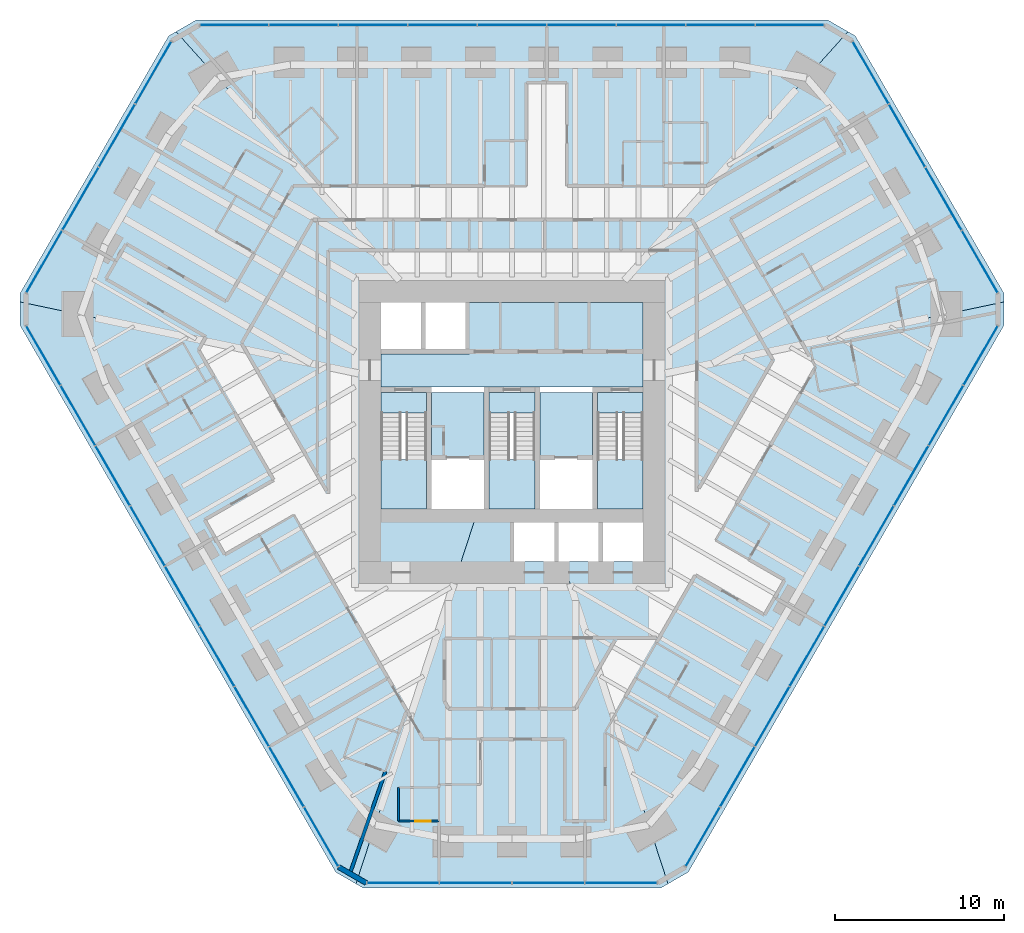
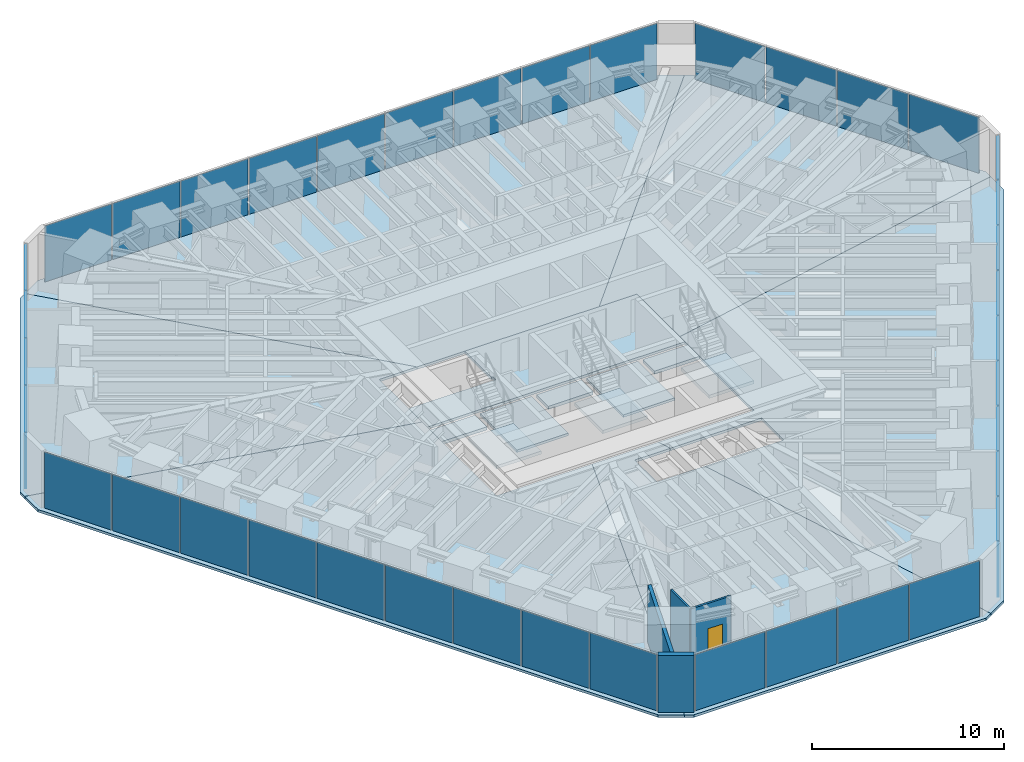
# One storey, part 10 of 17: 39 plates, 15 slabs, 4 walls, 1 door, 1 opening, 9 elements without a shape of their own.
"""IFC4 building model written with IfcOpenShell, lengths in metres."""

from ifc_helpers import new_model, si_unit, direction, frame, frame_2d, origin, origin_2d, place, context, subcontext, project, spatial, polyline, rectangle, outline, extrude, material, layer, layer_set, type_object, element, fill, aggregate, save


model = new_model("IFC4")

# Units and contexts
model_context = context("Model", 3, precision=1e-05, world=origin(), true_north=direction((0.0, 1.0)))
body_context = subcontext(model_context, "Body", "Model", "MODEL_VIEW")
ifc_project = project(units=[si_unit("LENGTHUNIT", "METRE"), si_unit("AREAUNIT", "SQUARE_METRE"), si_unit("VOLUMEUNIT", "CUBIC_METRE"), si_unit("PLANEANGLEUNIT", "RADIAN"), si_unit("MASSUNIT", "GRAM", prefix="KILO")], contexts=[model_context])

# Site, building, storey
site_placement = place(None, origin())
site = spatial("IfcSite", under=ifc_project, at=site_placement, CompositionType="ELEMENT")
building_placement = place(site_placement, origin())
building = spatial("IfcBuilding", under=site, at=building_placement, Name="Sandreach Pilgrim Tower", CompositionType="ELEMENT")
storey_placement = place(building_placement, frame((0.0, 0.0, 169.0)))
storey = spatial("IfcBuildingStorey", under=building, at=storey_placement, Name="L42", CompositionType="ELEMENT", Elevation=169.0)

# Curtain wall, plates
ifc_material_1 = material(Name="Aluminium framed curtain wall", Category="aluminium")
curtain_wall_type = type_object("IfcCurtainWallType", Name="Hotel tower curtain wall", PredefinedType="NOTDEFINED", material=ifc_material_1)
curtain_wall_1_placement = place(storey_placement, origin())
curtain_wall_1 = element("IfcCurtainWall", 1, at=curtain_wall_1_placement, inside=storey, type_object=curtain_wall_type, Name="CW-2 L42 N", PredefinedType="NOTDEFINED")
ifc_material_2 = material(Name="Insulating glass unit 8 heat-strengthened + 16 argon + 8 heat-strengthened", Category="glass")
ifc_layer_1 = layer(ifc_material_2, 0.031982421875)
ifc_layer_set_1 = layer_set([ifc_layer_1], Name="CW-2 panel")
plate_type = type_object("IfcPlateType", Name="CW-2 panel", PredefinedType="CURTAIN_PANEL", material=ifc_layer_set_1)
plate_1_placement = place(storey_placement, frame((-16.41162109375, 22.493896484375, 0.0), z_axis=(0.0, 0.0, 1.0), x_axis=(1.0, 0.0, 0.0)))
plate_1 = element("IfcPlate", 2, at=plate_1_placement, type_object=plate_type, Name="CW-2 panel 1", PredefinedType="CURTAIN_PANEL", context=body_context, shape_type="SweptSolid", body=[
    extrude(rectangle(XDim=4.009521484375, YDim=0.031982421875, at=origin_2d()), origin(), (0.0, 0.0, 1.0), 3.570068359375),
])
plate_2_placement = place(storey_placement, frame((-12.32080078125, 22.493896484375, 0.0), z_axis=(0.0, 0.0, 1.0), x_axis=(1.0, 0.0, 0.0)))
plate_2 = element("IfcPlate", 3, at=plate_2_placement, type_object=plate_type, Name="CW-2 panel 2", PredefinedType="CURTAIN_PANEL", context=body_context, shape_type="SweptSolid", body=[
    extrude(rectangle(XDim=4.0419921875, YDim=0.031982421875, at=origin_2d()), origin(), (0.0, 0.0, 1.0), 3.570068359375),
])
plate_3_placement = place(storey_placement, frame((-8.2138671875, 22.493896484375, 0.0), z_axis=(0.0, 0.0, 1.0), x_axis=(1.0, 0.0, 0.0)))
plate_3 = element("IfcPlate", 4, at=plate_3_placement, type_object=plate_type, Name="CW-2 panel 3", PredefinedType="CURTAIN_PANEL", context=body_context, shape_type="SweptSolid", body=[
    extrude(rectangle(XDim=4.0419921875, YDim=0.031982421875, at=origin_2d()), origin(), (0.0, 0.0, 1.0), 3.570068359375),
])
plate_4_placement = place(storey_placement, frame((-4.10693359375, 22.493896484375, 0.0), z_axis=(0.0, 0.0, 1.0), x_axis=(1.0, 0.0, 0.0)))
plate_4 = element("IfcPlate", 5, at=plate_4_placement, type_object=plate_type, Name="CW-2 panel 4", PredefinedType="CURTAIN_PANEL", context=body_context, shape_type="SweptSolid", body=[
    extrude(rectangle(XDim=4.0419921875, YDim=0.031982421875, at=origin_2d()), origin(), (0.0, 0.0, 1.0), 3.570068359375),
])
plate_5_placement = place(storey_placement, frame((0.0, 22.493896484375, 0.0), z_axis=(0.0, 0.0, 1.0), x_axis=(1.0, 0.0, 0.0)))
plate_5 = element("IfcPlate", 6, at=plate_5_placement, type_object=plate_type, Name="CW-2 panel 5", PredefinedType="CURTAIN_PANEL", context=body_context, shape_type="SweptSolid", body=[
    extrude(rectangle(XDim=4.0419921875, YDim=0.031982421875, at=origin_2d()), origin(), (0.0, 0.0, 1.0), 3.570068359375),
])
plate_6_placement = place(storey_placement, frame((4.10693359375, 22.493896484375, 0.0), z_axis=(0.0, 0.0, 1.0), x_axis=(1.0, 0.0, 0.0)))
plate_6 = element("IfcPlate", 7, at=plate_6_placement, type_object=plate_type, Name="CW-2 panel 6", PredefinedType="CURTAIN_PANEL", context=body_context, shape_type="SweptSolid", body=[
    extrude(rectangle(XDim=4.0419921875, YDim=0.031982421875, at=origin_2d()), origin(), (0.0, 0.0, 1.0), 3.570068359375),
])
plate_7_placement = place(storey_placement, frame((8.2138671875, 22.493896484375, 0.0), z_axis=(0.0, 0.0, 1.0), x_axis=(1.0, 0.0, 0.0)))
plate_7 = element("IfcPlate", 8, at=plate_7_placement, type_object=plate_type, Name="CW-2 panel 7", PredefinedType="CURTAIN_PANEL", context=body_context, shape_type="SweptSolid", body=[
    extrude(rectangle(XDim=4.0419921875, YDim=0.031982421875, at=origin_2d()), origin(), (0.0, 0.0, 1.0), 3.570068359375),
])
plate_8_placement = place(storey_placement, frame((12.32080078125, 22.493896484375, 0.0), z_axis=(0.0, 0.0, 1.0), x_axis=(1.0, 0.0, 0.0)))
plate_8 = element("IfcPlate", 9, at=plate_8_placement, type_object=plate_type, Name="CW-2 panel 8", PredefinedType="CURTAIN_PANEL", context=body_context, shape_type="SweptSolid", body=[
    extrude(rectangle(XDim=4.0419921875, YDim=0.031982421875, at=origin_2d()), origin(), (0.0, 0.0, 1.0), 3.570068359375),
])
plate_9_placement = place(storey_placement, frame((16.41162109375, 22.493896484375, 0.0), z_axis=(0.0, 0.0, 1.0), x_axis=(1.0, 0.0, 0.0)))
plate_9 = element("IfcPlate", 10, at=plate_9_placement, type_object=plate_type, Name="CW-2 panel 9", PredefinedType="CURTAIN_PANEL", context=body_context, shape_type="SweptSolid", body=[
    extrude(rectangle(XDim=4.009521484375, YDim=0.031982421875, at=origin_2d()), origin(), (0.0, 0.0, 1.0), 3.570068359375),
])
aggregate(curtain_wall_1, [plate_1, plate_2, plate_3, plate_4, plate_5, plate_6, plate_7, plate_8, plate_9])

curtain_wall_2_placement = place(storey_placement, origin())
curtain_wall_2 = element("IfcCurtainWall", 11, at=curtain_wall_2_placement, inside=storey, type_object=curtain_wall_type, Name="CW-2 L42 NE", PredefinedType="NOTDEFINED")
plate_10_placement = place(storey_placement, frame((21.194091796875, 19.67529296875, 0.0), z_axis=(0.0, 0.0, 1.0), x_axis=(0.5, -0.866025403784, 0.0)))
plate_10 = element("IfcPlate", 12, at=plate_10_placement, type_object=plate_type, Name="CW-2 panel 1", PredefinedType="CURTAIN_PANEL", context=body_context, shape_type="SweptSolid", body=[
    extrude(rectangle(XDim=4.208251953125, YDim=0.031982421875, at=origin_2d()), origin(), (0.0, 0.0, 1.0), 3.570068359375),
])
plate_11_placement = place(storey_placement, frame((23.3388671875, 15.96044921875, 0.0), z_axis=(0.0, 0.0, 1.0), x_axis=(0.5, -0.866025403784, 0.0)))
plate_11 = element("IfcPlate", 13, at=plate_11_placement, type_object=plate_type, Name="CW-2 panel 2", PredefinedType="CURTAIN_PANEL", context=body_context, shape_type="SweptSolid", body=[
    extrude(rectangle(XDim=4.24072265625, YDim=0.031982421875, at=origin_2d()), origin(), (0.0, 0.0, 1.0), 3.570068359375),
])
plate_12_placement = place(storey_placement, frame((25.49169921875, 12.231689453125, 0.0), z_axis=(0.0, 0.0, 1.0), x_axis=(0.5, -0.866025403784, 0.0)))
plate_12 = element("IfcPlate", 14, at=plate_12_placement, type_object=plate_type, Name="CW-2 panel 3", PredefinedType="CURTAIN_PANEL", context=body_context, shape_type="SweptSolid", body=[
    extrude(rectangle(XDim=4.24072265625, YDim=0.031982421875, at=origin_2d()), origin(), (0.0, 0.0, 1.0), 3.570068359375),
])
plate_13_placement = place(storey_placement, frame((27.63623046875, 8.516845703125, 0.0), z_axis=(0.0, 0.0, 1.0), x_axis=(0.5, -0.866025403784, 0.0)))
plate_13 = element("IfcPlate", 15, at=plate_13_placement, type_object=plate_type, Name="CW-2 panel 4", PredefinedType="CURTAIN_PANEL", context=body_context, shape_type="SweptSolid", body=[
    extrude(rectangle(XDim=4.208251953125, YDim=0.031982421875, at=origin_2d()), origin(), (0.0, 0.0, 1.0), 3.570068359375),
])
aggregate(curtain_wall_2, [plate_10, plate_11, plate_12, plate_13])

curtain_wall_3_placement = place(storey_placement, origin())
curtain_wall_3 = element("IfcCurtainWall", 16, at=curtain_wall_3_placement, inside=storey, type_object=curtain_wall_type, Name="CW-2 L42 SE", PredefinedType="NOTDEFINED")
plate_14_placement = place(storey_placement, frame((27.68603515625, 2.966064453125, 0.0), z_axis=(0.0, 0.0, 1.0), x_axis=(-0.5, -0.866025403784, 0.0)))
plate_14 = element("IfcPlate", 17, at=plate_14_placement, type_object=plate_type, Name="CW-2 panel 1", PredefinedType="CURTAIN_PANEL", context=body_context, shape_type="SweptSolid", body=[
    extrude(rectangle(XDim=4.009521484375, YDim=0.031982421875, at=origin_2d()), origin(), (0.0, 0.0, 1.0), 3.570068359375),
])
plate_15_placement = place(storey_placement, frame((25.640625, -0.57666015625, 0.0), z_axis=(0.0, 0.0, 1.0), x_axis=(-0.5, -0.866025403784, 0.0)))
plate_15 = element("IfcPlate", 18, at=plate_15_placement, type_object=plate_type, Name="CW-2 panel 2", PredefinedType="CURTAIN_PANEL", context=body_context, shape_type="SweptSolid", body=[
    extrude(rectangle(XDim=4.0419921875, YDim=0.031982421875, at=origin_2d()), origin(), (0.0, 0.0, 1.0), 3.570068359375),
])
plate_16_placement = place(storey_placement, frame((23.587158203125, -4.13330078125, 0.0), z_axis=(0.0, 0.0, 1.0), x_axis=(-0.5, -0.866025403784, 0.0)))
plate_16 = element("IfcPlate", 19, at=plate_16_placement, type_object=plate_type, Name="CW-2 panel 3", PredefinedType="CURTAIN_PANEL", context=body_context, shape_type="SweptSolid", body=[
    extrude(rectangle(XDim=4.0419921875, YDim=0.031982421875, at=origin_2d()), origin(), (0.0, 0.0, 1.0), 3.570068359375),
])
plate_17_placement = place(storey_placement, frame((21.53369140625, -7.690185546875, 0.0), z_axis=(0.0, 0.0, 1.0), x_axis=(-0.5, -0.866025403784, 0.0)))
plate_17 = element("IfcPlate", 20, at=plate_17_placement, type_object=plate_type, Name="CW-2 panel 4", PredefinedType="CURTAIN_PANEL", context=body_context, shape_type="SweptSolid", body=[
    extrude(rectangle(XDim=4.0419921875, YDim=0.031982421875, at=origin_2d()), origin(), (0.0, 0.0, 1.0), 3.570068359375),
])
plate_18_placement = place(storey_placement, frame((19.480224609375, -11.246826171875, 0.0), z_axis=(0.0, 0.0, 1.0), x_axis=(-0.5, -0.866025403784, 0.0)))
plate_18 = element("IfcPlate", 21, at=plate_18_placement, type_object=plate_type, Name="CW-2 panel 5", PredefinedType="CURTAIN_PANEL", context=body_context, shape_type="SweptSolid", body=[
    extrude(rectangle(XDim=4.0419921875, YDim=0.031982421875, at=origin_2d()), origin(), (0.0, 0.0, 1.0), 3.570068359375),
])
plate_19_placement = place(storey_placement, frame((17.4267578125, -14.8037109375, 0.0), z_axis=(0.0, 0.0, 1.0), x_axis=(-0.5, -0.866025403784, 0.0)))
plate_19 = element("IfcPlate", 22, at=plate_19_placement, type_object=plate_type, Name="CW-2 panel 6", PredefinedType="CURTAIN_PANEL", context=body_context, shape_type="SweptSolid", body=[
    extrude(rectangle(XDim=4.0419921875, YDim=0.031982421875, at=origin_2d()), origin(), (0.0, 0.0, 1.0), 3.570068359375),
])
plate_20_placement = place(storey_placement, frame((15.373291015625, -18.3603515625, 0.0), z_axis=(0.0, 0.0, 1.0), x_axis=(-0.5, -0.866025403784, 0.0)))
plate_20 = element("IfcPlate", 23, at=plate_20_placement, type_object=plate_type, Name="CW-2 panel 7", PredefinedType="CURTAIN_PANEL", context=body_context, shape_type="SweptSolid", body=[
    extrude(rectangle(XDim=4.0419921875, YDim=0.031982421875, at=origin_2d()), origin(), (0.0, 0.0, 1.0), 3.570068359375),
])
plate_21_placement = place(storey_placement, frame((13.31982421875, -21.917236328125, 0.0), z_axis=(0.0, 0.0, 1.0), x_axis=(-0.5, -0.866025403784, 0.0)))
plate_21 = element("IfcPlate", 24, at=plate_21_placement, type_object=plate_type, Name="CW-2 panel 8", PredefinedType="CURTAIN_PANEL", context=body_context, shape_type="SweptSolid", body=[
    extrude(rectangle(XDim=4.0419921875, YDim=0.031982421875, at=origin_2d()), origin(), (0.0, 0.0, 1.0), 3.570068359375),
])
plate_22_placement = place(storey_placement, frame((11.2744140625, -25.459716796875, 0.0), z_axis=(0.0, 0.0, 1.0), x_axis=(-0.5, -0.866025403784, 0.0)))
plate_22 = element("IfcPlate", 25, at=plate_22_placement, type_object=plate_type, Name="CW-2 panel 9", PredefinedType="CURTAIN_PANEL", context=body_context, shape_type="SweptSolid", body=[
    extrude(rectangle(XDim=4.009521484375, YDim=0.031982421875, at=origin_2d()), origin(), (0.0, 0.0, 1.0), 3.570068359375),
])
aggregate(curtain_wall_3, [plate_14, plate_15, plate_16, plate_17, plate_18, plate_19, plate_20, plate_21, plate_22])

curtain_wall_4_placement = place(storey_placement, origin())
curtain_wall_4 = element("IfcCurtainWall", 26, at=curtain_wall_4_placement, inside=storey, type_object=curtain_wall_type, Name="CW-2 L42 S", PredefinedType="NOTDEFINED")
plate_23_placement = place(storey_placement, frame((6.4423828125, -28.192138671875, 0.0), z_axis=(0.0, 0.0, 1.0), x_axis=(-1.0, 0.0, 0.0)))
plate_23 = element("IfcPlate", 27, at=plate_23_placement, type_object=plate_type, Name="CW-2 panel 1", PredefinedType="CURTAIN_PANEL", context=body_context, shape_type="SweptSolid", body=[
    extrude(rectangle(XDim=4.208251953125, YDim=0.031982421875, at=origin_2d()), origin(), (0.0, 0.0, 1.0), 3.570068359375),
])
plate_24_placement = place(storey_placement, frame((2.15283203125, -28.192138671875, 0.0), z_axis=(0.0, 0.0, 1.0), x_axis=(-1.0, 0.0, 0.0)))
plate_24 = element("IfcPlate", 28, at=plate_24_placement, type_object=plate_type, Name="CW-2 panel 2", PredefinedType="CURTAIN_PANEL", context=body_context, shape_type="SweptSolid", body=[
    extrude(rectangle(XDim=4.24072265625, YDim=0.031982421875, at=origin_2d()), origin(), (0.0, 0.0, 1.0), 3.570068359375),
])
plate_25_placement = place(storey_placement, frame((-2.15283203125, -28.192138671875, 0.0), z_axis=(0.0, 0.0, 1.0), x_axis=(-1.0, 0.0, 0.0)))
plate_25 = element("IfcPlate", 29, at=plate_25_placement, type_object=plate_type, Name="CW-2 panel 3", PredefinedType="CURTAIN_PANEL", context=body_context, shape_type="SweptSolid", body=[
    extrude(rectangle(XDim=4.24072265625, YDim=0.031982421875, at=origin_2d()), origin(), (0.0, 0.0, 1.0), 3.570068359375),
])
plate_26_placement = place(storey_placement, frame((-6.4423828125, -28.192138671875, 0.0), z_axis=(0.0, 0.0, 1.0), x_axis=(-1.0, 0.0, 0.0)))
plate_26 = element("IfcPlate", 30, at=plate_26_placement, type_object=plate_type, Name="CW-2 panel 4", PredefinedType="CURTAIN_PANEL", context=body_context, shape_type="SweptSolid", body=[
    extrude(rectangle(XDim=4.208251953125, YDim=0.031982421875, at=origin_2d()), origin(), (0.0, 0.0, 1.0), 3.570068359375),
])
aggregate(curtain_wall_4, [plate_23, plate_24, plate_25, plate_26])

curtain_wall_5_placement = place(storey_placement, origin())
curtain_wall_5 = element("IfcCurtainWall", 31, at=curtain_wall_5_placement, inside=storey, type_object=curtain_wall_type, Name="CW-2 L42 SW", PredefinedType="NOTDEFINED")
plate_27_placement = place(storey_placement, frame((-11.2744140625, -25.459716796875, 0.0), z_axis=(0.0, 0.0, 1.0), x_axis=(-0.5, 0.866025403784, 0.0)))
plate_27 = element("IfcPlate", 32, at=plate_27_placement, type_object=plate_type, Name="CW-2 panel 1", PredefinedType="CURTAIN_PANEL", context=body_context, shape_type="SweptSolid", body=[
    extrude(rectangle(XDim=4.009521484375, YDim=0.031982421875, at=origin_2d()), origin(), (0.0, 0.0, 1.0), 3.570068359375),
])
plate_28_placement = place(storey_placement, frame((-13.31982421875, -21.917236328125, 0.0), z_axis=(0.0, 0.0, 1.0), x_axis=(-0.5, 0.866025403784, 0.0)))
plate_28 = element("IfcPlate", 33, at=plate_28_placement, type_object=plate_type, Name="CW-2 panel 2", PredefinedType="CURTAIN_PANEL", context=body_context, shape_type="SweptSolid", body=[
    extrude(rectangle(XDim=4.0419921875, YDim=0.031982421875, at=origin_2d()), origin(), (0.0, 0.0, 1.0), 3.570068359375),
])
plate_29_placement = place(storey_placement, frame((-15.373291015625, -18.3603515625, 0.0), z_axis=(0.0, 0.0, 1.0), x_axis=(-0.5, 0.866025403784, 0.0)))
plate_29 = element("IfcPlate", 34, at=plate_29_placement, type_object=plate_type, Name="CW-2 panel 3", PredefinedType="CURTAIN_PANEL", context=body_context, shape_type="SweptSolid", body=[
    extrude(rectangle(XDim=4.0419921875, YDim=0.031982421875, at=origin_2d()), origin(), (0.0, 0.0, 1.0), 3.570068359375),
])
plate_30_placement = place(storey_placement, frame((-17.4267578125, -14.8037109375, 0.0), z_axis=(0.0, 0.0, 1.0), x_axis=(-0.5, 0.866025403784, 0.0)))
plate_30 = element("IfcPlate", 35, at=plate_30_placement, type_object=plate_type, Name="CW-2 panel 4", PredefinedType="CURTAIN_PANEL", context=body_context, shape_type="SweptSolid", body=[
    extrude(rectangle(XDim=4.0419921875, YDim=0.031982421875, at=origin_2d()), origin(), (0.0, 0.0, 1.0), 3.570068359375),
])
plate_31_placement = place(storey_placement, frame((-19.480224609375, -11.246826171875, 0.0), z_axis=(0.0, 0.0, 1.0), x_axis=(-0.5, 0.866025403784, 0.0)))
plate_31 = element("IfcPlate", 36, at=plate_31_placement, type_object=plate_type, Name="CW-2 panel 5", PredefinedType="CURTAIN_PANEL", context=body_context, shape_type="SweptSolid", body=[
    extrude(rectangle(XDim=4.0419921875, YDim=0.031982421875, at=origin_2d()), origin(), (0.0, 0.0, 1.0), 3.570068359375),
])
plate_32_placement = place(storey_placement, frame((-21.53369140625, -7.690185546875, 0.0), z_axis=(0.0, 0.0, 1.0), x_axis=(-0.5, 0.866025403784, 0.0)))
plate_32 = element("IfcPlate", 37, at=plate_32_placement, type_object=plate_type, Name="CW-2 panel 6", PredefinedType="CURTAIN_PANEL", context=body_context, shape_type="SweptSolid", body=[
    extrude(rectangle(XDim=4.0419921875, YDim=0.031982421875, at=origin_2d()), origin(), (0.0, 0.0, 1.0), 3.570068359375),
])
plate_33_placement = place(storey_placement, frame((-23.587158203125, -4.13330078125, 0.0), z_axis=(0.0, 0.0, 1.0), x_axis=(-0.5, 0.866025403784, 0.0)))
plate_33 = element("IfcPlate", 38, at=plate_33_placement, type_object=plate_type, Name="CW-2 panel 7", PredefinedType="CURTAIN_PANEL", context=body_context, shape_type="SweptSolid", body=[
    extrude(rectangle(XDim=4.0419921875, YDim=0.031982421875, at=origin_2d()), origin(), (0.0, 0.0, 1.0), 3.570068359375),
])
plate_34_placement = place(storey_placement, frame((-25.640625, -0.57666015625, 0.0), z_axis=(0.0, 0.0, 1.0), x_axis=(-0.5, 0.866025403784, 0.0)))
plate_34 = element("IfcPlate", 39, at=plate_34_placement, type_object=plate_type, Name="CW-2 panel 8", PredefinedType="CURTAIN_PANEL", context=body_context, shape_type="SweptSolid", body=[
    extrude(rectangle(XDim=4.0419921875, YDim=0.031982421875, at=origin_2d()), origin(), (0.0, 0.0, 1.0), 3.570068359375),
])
plate_35_placement = place(storey_placement, frame((-27.68603515625, 2.966064453125, 0.0), z_axis=(0.0, 0.0, 1.0), x_axis=(-0.5, 0.866025403784, 0.0)))
plate_35 = element("IfcPlate", 40, at=plate_35_placement, type_object=plate_type, Name="CW-2 panel 9", PredefinedType="CURTAIN_PANEL", context=body_context, shape_type="SweptSolid", body=[
    extrude(rectangle(XDim=4.009521484375, YDim=0.031982421875, at=origin_2d()), origin(), (0.0, 0.0, 1.0), 3.570068359375),
])
aggregate(curtain_wall_5, [plate_27, plate_28, plate_29, plate_30, plate_31, plate_32, plate_33, plate_34, plate_35])

curtain_wall_6_placement = place(storey_placement, origin())
curtain_wall_6 = element("IfcCurtainWall", 41, at=curtain_wall_6_placement, inside=storey, type_object=curtain_wall_type, Name="CW-2 L42 NW", PredefinedType="NOTDEFINED")
plate_36_placement = place(storey_placement, frame((-27.63623046875, 8.516845703125, 0.0), z_axis=(0.0, 0.0, 1.0), x_axis=(0.5, 0.866025403784, 0.0)))
plate_36 = element("IfcPlate", 42, at=plate_36_placement, type_object=plate_type, Name="CW-2 panel 1", PredefinedType="CURTAIN_PANEL", context=body_context, shape_type="SweptSolid", body=[
    extrude(rectangle(XDim=4.208251953125, YDim=0.031982421875, at=origin_2d()), origin(), (0.0, 0.0, 1.0), 3.570068359375),
])
plate_37_placement = place(storey_placement, frame((-25.49169921875, 12.231689453125, 0.0), z_axis=(0.0, 0.0, 1.0), x_axis=(0.5, 0.866025403784, 0.0)))
plate_37 = element("IfcPlate", 43, at=plate_37_placement, type_object=plate_type, Name="CW-2 panel 2", PredefinedType="CURTAIN_PANEL", context=body_context, shape_type="SweptSolid", body=[
    extrude(rectangle(XDim=4.24072265625, YDim=0.031982421875, at=origin_2d()), origin(), (0.0, 0.0, 1.0), 3.570068359375),
])
plate_38_placement = place(storey_placement, frame((-23.3388671875, 15.96044921875, 0.0), z_axis=(0.0, 0.0, 1.0), x_axis=(0.5, 0.866025403784, 0.0)))
plate_38 = element("IfcPlate", 44, at=plate_38_placement, type_object=plate_type, Name="CW-2 panel 3", PredefinedType="CURTAIN_PANEL", context=body_context, shape_type="SweptSolid", body=[
    extrude(rectangle(XDim=4.24072265625, YDim=0.031982421875, at=origin_2d()), origin(), (0.0, 0.0, 1.0), 3.570068359375),
])
plate_39_placement = place(storey_placement, frame((-21.194091796875, 19.67529296875, 0.0), z_axis=(0.0, 0.0, 1.0), x_axis=(0.5, 0.866025403784, 0.0)))
plate_39 = element("IfcPlate", 45, at=plate_39_placement, type_object=plate_type, Name="CW-2 panel 4", PredefinedType="CURTAIN_PANEL", context=body_context, shape_type="SweptSolid", body=[
    extrude(rectangle(XDim=4.208251953125, YDim=0.031982421875, at=origin_2d()), origin(), (0.0, 0.0, 1.0), 3.570068359375),
])
aggregate(curtain_wall_6, [plate_36, plate_37, plate_38, plate_39])

# Slabs
ifc_material_3 = material(Name="Concrete 8000 psi", Category="concrete")
ifc_layer_2 = layer(ifc_material_3, 0.159912109375)
ifc_layer_set_2 = layer_set([ifc_layer_2], Name="Composite floor slab 160")
slab_type_1 = type_object("IfcSlabType", Name="Composite floor slab 160", PredefinedType="FLOOR", material=ifc_layer_set_2)
slab_1_placement = place(storey_placement, frame((0.0, 0.0, -0.159912109375)))
element("IfcSlab", 46, at=slab_1_placement, inside=storey, type_object=slab_type_1, Name="Floor slab L42 N sector", PredefinedType="FLOOR", context=body_context, shape_type="SweptSolid", body=[
    extrude(outline(polyline([(-18.654541015625, 22.793701171875), (18.654541015625, 22.793701171875), (19.848388671875, 22.1044921875), (5.477294921875, 6.10009765625), (-5.477294921875, 6.10009765625), (-19.848388671875, 22.1044921875), (-18.654541015625, 22.793701171875)])), origin(), (0.0, 0.0, 1.0), 0.159912109375),
])
slab_2_placement = place(storey_placement, frame((0.0, 0.0, -0.159912109375)))
element("IfcSlab", 47, at=slab_2_placement, inside=storey, type_object=slab_type_1, Name="Floor slab L42 NE sector", PredefinedType="FLOOR", context=body_context, shape_type="SweptSolid", body=[
    extrude(outline(polyline([(20.28271484375, 21.853759765625), (29.0673828125, 6.638427734375), (29.0673828125, 6.13720703125), (7.75, 1.63623046875), (7.75, 6.10009765625), (5.477294921875, 6.10009765625), (19.848388671875, 22.1044921875), (20.28271484375, 21.853759765625)])), origin(), (0.0, 0.0, 1.0), 0.159912109375),
])
slab_3_placement = place(storey_placement, frame((0.0, 0.0, -0.159912109375)))
element("IfcSlab", 48, at=slab_3_placement, inside=storey, type_object=slab_type_1, Name="Floor slab L42 SE sector", PredefinedType="FLOOR", context=body_context, shape_type="SweptSolid", body=[
    extrude(outline(polyline([(29.0673828125, 4.75830078125), (10.41259765625, -27.55224609375), (9.21875, -28.241455078125), (3.003173828125, -9.199951171875), (7.75, -9.199951171875), (7.75, -6.89990234375), (2.252197265625, -6.89990234375), (1.9912109375, -6.10009765625), (7.75, -6.10009765625), (7.75, 1.63623046875), (29.0673828125, 6.13720703125), (29.0673828125, 4.75830078125)])), origin(), (0.0, 0.0, 1.0), 0.159912109375),
])
slab_4_placement = place(storey_placement, frame((0.0, 0.0, -0.159912109375)))
element("IfcSlab", 49, at=slab_4_placement, inside=storey, type_object=slab_type_1, Name="Floor slab L42 S sector", PredefinedType="FLOOR", context=body_context, shape_type="SweptSolid", body=[
    extrude(outline(polyline([(8.78466796875, -28.4921875), (-8.78466796875, -28.4921875), (-9.21875, -28.241455078125), (-1.9912109375, -6.10009765625), (1.9912109375, -6.10009765625), (2.252197265625, -6.89990234375), (0.125, -6.89990234375), (0.125, -9.199951171875), (3.003173828125, -9.199951171875), (9.21875, -28.241455078125), (8.78466796875, -28.4921875)])), origin(), (0.0, 0.0, 1.0), 0.159912109375),
])
slab_5_placement = place(storey_placement, frame((0.0, 0.0, -0.159912109375)))
element("IfcSlab", 50, at=slab_5_placement, inside=storey, type_object=slab_type_1, Name="Floor slab L42 SW sector", PredefinedType="FLOOR", context=body_context, shape_type="SweptSolid", body=[
    extrude(outline(polyline([(-10.41259765625, -27.55224609375), (-29.0673828125, 4.75830078125), (-29.0673828125, 6.13720703125), (-7.75, 1.63623046875), (-7.75, -6.10009765625), (-1.9912109375, -6.10009765625), (-9.21875, -28.241455078125), (-10.41259765625, -27.55224609375)])), origin(), (0.0, 0.0, 1.0), 0.159912109375),
])
slab_6_placement = place(storey_placement, frame((0.0, 0.0, -0.159912109375)))
element("IfcSlab", 51, at=slab_6_placement, inside=storey, type_object=slab_type_1, Name="Floor slab L42 NW sector", PredefinedType="FLOOR", context=body_context, shape_type="SweptSolid", body=[
    extrude(outline(polyline([(-29.0673828125, 6.638427734375), (-20.28271484375, 21.853759765625), (-19.848388671875, 22.1044921875), (-5.477294921875, 6.10009765625), (-7.75, 6.10009765625), (-7.75, 1.63623046875), (-29.0673828125, 6.13720703125), (-29.0673828125, 6.638427734375)])), origin(), (0.0, 0.0, 1.0), 0.159912109375),
])
slab_7_placement = place(storey_placement, frame((0.0, 0.0, -0.159912109375)))
element("IfcSlab", 52, at=slab_7_placement, inside=storey, type_object=slab_type_1, Name="Core floor slab L42", PredefinedType="FLOOR", context=body_context, shape_type="SweptSolid", body=[
    extrude(outline(polyline([(-7.75, 3.050048828125), (-5.375, 3.050048828125), (-5.125, 3.050048828125), (-2.5, 3.050048828125), (-2.5, 3.35009765625), (-2.60009765625, 3.35009765625), (-2.60009765625, 6.10009765625), (7.75, 6.10009765625), (7.75, 1.10009765625), (5.050048828125, 1.10009765625), (4.75, 1.10009765625), (1.64990234375, 1.10009765625), (1.35009765625, 1.10009765625), (-1.35009765625, 1.10009765625), (-1.64990234375, 1.10009765625), (-4.75, 1.10009765625), (-5.050048828125, 1.10009765625), (-7.75, 1.10009765625), (-7.75, 3.050048828125)])), origin(), (0.0, 0.0, 1.0), 0.159912109375),
])
slab_8_placement = place(storey_placement, frame((0.0, 0.0, -0.159912109375)))
element("IfcSlab", 53, at=slab_8_placement, inside=storey, type_object=slab_type_1, Name="Core floor slab L42 2", PredefinedType="FLOOR", context=body_context, shape_type="SweptSolid", body=[
    extrude(outline(polyline([(-1.64990234375, -3.050048828125), (-4.75, -3.050048828125), (-4.75, 0.800048828125), (-1.64990234375, 0.800048828125), (-1.64990234375, -3.050048828125)])), origin(), (0.0, 0.0, 1.0), 0.159912109375),
])
slab_9_placement = place(storey_placement, frame((0.0, 0.0, -0.159912109375)))
element("IfcSlab", 54, at=slab_9_placement, inside=storey, type_object=slab_type_1, Name="Core floor slab L42 3", PredefinedType="FLOOR", context=body_context, shape_type="SweptSolid", body=[
    extrude(outline(polyline([(4.75, -3.050048828125), (1.64990234375, -3.050048828125), (1.64990234375, 0.800048828125), (4.75, 0.800048828125), (4.75, -3.050048828125)])), origin(), (0.0, 0.0, 1.0), 0.159912109375),
])

# Stair, slabs
ifc_material_4 = material(Name="Concrete 8000 psi", Category="concrete")
stair_type = type_object("IfcStairType", Name="Core exit stair", PredefinedType="HALF_TURN_STAIR", material=ifc_material_4)
stair_1_placement = place(storey_placement, origin())
stair_1 = element("IfcStair", 55, at=stair_1_placement, inside=storey, type_object=stair_type, Name="Exit stair ST1 L42", PredefinedType="HALF_TURN_STAIR")
ifc_material_5 = material(Name="Concrete 8000 psi", Category="concrete")
ifc_layer_3 = layer(ifc_material_5, 0.199951171875)
ifc_layer_set_3 = layer_set([ifc_layer_3], Name="Core stair landing 200")
slab_type_2 = type_object("IfcSlabType", Name="Core stair landing 200", PredefinedType="LANDING", material=ifc_layer_set_3)
slab_10_placement = place(storey_placement, frame((0.0, 0.0, -0.199951171875)))
slab_10 = element("IfcSlab", 56, at=slab_10_placement, type_object=slab_type_2, Name="ST1 landing 1", PredefinedType="LANDING", context=body_context, shape_type="SweptSolid", body=[
    extrude(outline(polyline([(-7.75, -0.425048828125), (-5.050048828125, -0.425048828125), (-5.050048828125, 0.800048828125), (-7.75, 0.800048828125), (-7.75, -0.425048828125)])), origin(), (0.0, 0.0, 1.0), 0.199951171875),
])
slab_11_placement = place(storey_placement, frame((0.0, 0.0, 1.699951171875)))
slab_11 = element("IfcSlab", 57, at=slab_11_placement, type_object=slab_type_2, Name="ST1 landing 2", PredefinedType="LANDING", context=body_context, shape_type="SweptSolid", body=[
    extrude(outline(polyline([(-7.75, -6.10009765625), (-5.050048828125, -6.10009765625), (-5.050048828125, -3.175048828125), (-7.75, -3.175048828125), (-7.75, -6.10009765625)])), origin(), (0.0, 0.0, 1.0), 0.199951171875),
])
aggregate(stair_1, [slab_10, slab_11])

stair_2_placement = place(storey_placement, origin())
stair_2 = element("IfcStair", 58, at=stair_2_placement, inside=storey, type_object=stair_type, Name="Exit stair ST3 L42", PredefinedType="HALF_TURN_STAIR")
slab_12_placement = place(storey_placement, frame((0.0, 0.0, -0.199951171875)))
slab_12 = element("IfcSlab", 59, at=slab_12_placement, type_object=slab_type_2, Name="ST3 landing 1", PredefinedType="LANDING", context=body_context, shape_type="SweptSolid", body=[
    extrude(outline(polyline([(-1.35009765625, -0.425048828125), (1.35009765625, -0.425048828125), (1.35009765625, 0.800048828125), (-1.35009765625, 0.800048828125), (-1.35009765625, -0.425048828125)])), origin(), (0.0, 0.0, 1.0), 0.199951171875),
])
slab_13_placement = place(storey_placement, frame((0.0, 0.0, 1.699951171875)))
slab_13 = element("IfcSlab", 60, at=slab_13_placement, type_object=slab_type_2, Name="ST3 landing 2", PredefinedType="LANDING", context=body_context, shape_type="SweptSolid", body=[
    extrude(outline(polyline([(-1.35009765625, -6.10009765625), (1.35009765625, -6.10009765625), (1.35009765625, -3.175048828125), (-1.35009765625, -3.175048828125), (-1.35009765625, -6.10009765625)])), origin(), (0.0, 0.0, 1.0), 0.199951171875),
])
aggregate(stair_2, [slab_12, slab_13])

stair_3_placement = place(storey_placement, origin())
stair_3 = element("IfcStair", 61, at=stair_3_placement, inside=storey, type_object=stair_type, Name="Exit stair ST2 L42", PredefinedType="HALF_TURN_STAIR")
slab_14_placement = place(storey_placement, frame((0.0, 0.0, -0.199951171875)))
slab_14 = element("IfcSlab", 62, at=slab_14_placement, type_object=slab_type_2, Name="ST2 landing 1", PredefinedType="LANDING", context=body_context, shape_type="SweptSolid", body=[
    extrude(outline(polyline([(5.050048828125, -0.425048828125), (7.75, -0.425048828125), (7.75, 0.800048828125), (5.050048828125, 0.800048828125), (5.050048828125, -0.425048828125)])), origin(), (0.0, 0.0, 1.0), 0.199951171875),
])
slab_15_placement = place(storey_placement, frame((0.0, 0.0, 1.699951171875)))
slab_15 = element("IfcSlab", 63, at=slab_15_placement, type_object=slab_type_2, Name="ST2 landing 2", PredefinedType="LANDING", context=body_context, shape_type="SweptSolid", body=[
    extrude(outline(polyline([(5.050048828125, -6.10009765625), (7.75, -6.10009765625), (7.75, -3.175048828125), (5.050048828125, -3.175048828125), (5.050048828125, -6.10009765625)])), origin(), (0.0, 0.0, 1.0), 0.199951171875),
])
aggregate(stair_3, [slab_14, slab_15])

# Wall, opening, door
ifc_material_6 = material(Name="Moisture-resistant gypsum board on steel studs", Category="steel")
ifc_layer_4 = layer(ifc_material_6, 0.1201171875)
ifc_layer_set_4 = layer_set([ifc_layer_4], Name="Bathroom partition 120")
wall_type_1 = type_object("IfcWallType", Name="Bathroom partition 120", PredefinedType="PARTITIONING", material=ifc_layer_set_4)
wall_1_placement = place(storey_placement, frame((-6.7099609375, -24.5400390625, 0.0), z_axis=(0.0, 0.0, 1.0), x_axis=(1.0, 0.0, 0.0)))
wall_1 = element("IfcWall", 64, at=wall_1_placement, inside=storey, type_object=wall_type_1, Name="Bathroom partition L42-066", PredefinedType="PARTITIONING", context=body_context, shape_type="SweptSolid", body=[
    extrude(rectangle(XDim=2.39990234375, YDim=0.1201171875, at=frame_2d((1.199951171875, 0.0))), origin(), (0.0, 0.0, 1.0), 3.639892578125),
])
opening_placement = place(wall_1_placement, frame((1.0, 0.0, 0.0)))
opening = element("IfcOpeningElement", 65, at=opening_placement, cuts=wall_1, Name="Opening D09-12B", PredefinedType="OPENING", context=body_context, shape_type="SweptSolid", body=[
    extrude(rectangle(XDim=0.89990234375, YDim=2.030029296875, at=frame_2d((0.449951171875, 1.01513671875))), frame((0.0, 0.06005859375, 0.0), z_axis=(0.0, -1.0, 0.0), x_axis=(1.0, 0.0, 0.0)), (0.0, 0.0, 1.0), 0.1201171875),
])
ifc_material_7 = material(Name="Timber door, steel frame", Category="steel")
door_type = type_object("IfcDoorType", Name="Bathroom door", OperationType="SINGLE_SWING_LEFT", PredefinedType="DOOR", material=ifc_material_7)
door_placement = place(opening_placement, origin())
door = element("IfcDoor", 66, at=door_placement, inside=storey, type_object=door_type, Name="Door 4212B", OperationType="SINGLE_SWING_RIGHT", OverallHeight=2.030029296875, OverallWidth=0.89990234375, PredefinedType="DOOR", context=body_context, shape_type="SweptSolid", body=[
    extrude(rectangle(XDim=0.89990234375, YDim=2.030029296875, at=frame_2d((0.449951171875, 1.01513671875))), frame((0.0, 0.02490234375, 0.0), z_axis=(0.0, -1.0, 0.0), x_axis=(1.0, 0.0, 0.0)), (0.0, 0.0, 1.0), 0.050048828125),
])
fill(opening, door)

# Walls
wall_2_placement = place(storey_placement, frame((-6.7099609375, -22.5400390625, 0.0), z_axis=(0.0, 0.0, 1.0), x_axis=(0.0, -1.0, 0.0)))
element("IfcWall", 67, at=wall_2_placement, inside=storey, type_object=wall_type_1, Name="Bathroom partition L42-067", PredefinedType="PARTITIONING", context=body_context, shape_type="SweptSolid", body=[
    extrude(rectangle(XDim=2.0, YDim=0.1201171875, at=frame_2d((1.0, 0.0))), origin(), (0.0, 0.0, 1.0), 3.639892578125),
])
ifc_material_8 = material(Name="Double steel stud acoustic wall, gypsum board", Category="steel")
ifc_layer_5 = layer(ifc_material_8, 0.199951171875)
ifc_layer_set_5 = layer_set([ifc_layer_5], Name="Party wall 200")
wall_type_2 = type_object("IfcWallType", Name="Party wall 200", PredefinedType="PARTITIONING", material=ifc_layer_set_5)
wall_3_placement = place(storey_placement, frame((-9.580078125, -27.651611328125, 0.0), z_axis=(0.0, 0.0, 1.0), x_axis=(0.327855318627, 0.944727944991, 0.0)))
element("IfcWall", 68, at=wall_3_placement, inside=storey, type_object=wall_type_2, Name="Party wall L42-057", PredefinedType="PARTITIONING", context=body_context, shape_type="SweptSolid", body=[
    extrude(rectangle(XDim=6.405517578125, YDim=0.199951171875, at=frame_2d((3.20263671875, 0.0))), origin(), (0.0, 0.0, 1.0), 3.639892578125),
])
ifc_material_9 = material(Name="Terracotta rainscreen on concrete", Category="masonry")
ifc_layer_6 = layer(ifc_material_9, 0.300048828125)
ifc_layer_set_6 = layer_set([ifc_layer_6], Name="Terracotta chamfer pier")
wall_type_3 = type_object("IfcWallType", Name="Terracotta chamfer pier", PredefinedType="SOLIDWALL", material=ifc_layer_set_6)
wall_4_placement = place(storey_placement, frame((-8.611328125, -28.192138671875, 0.0), z_axis=(0.0, 0.0, 1.0), x_axis=(-0.866045024864, 0.499966013754, 0.0)))
element("IfcWall", 69, at=wall_4_placement, inside=storey, type_object=wall_type_3, Name="Chamfer pier L42 S", PredefinedType="SOLIDWALL", context=body_context, shape_type="SweptSolid", body=[
    extrude(rectangle(XDim=1.880126953125, YDim=0.300048828125, at=frame_2d((0.93994140625, 0.0))), origin(), (0.0, 0.0, 1.0), 3.639892578125),
])

save(model, "model.ifc")
